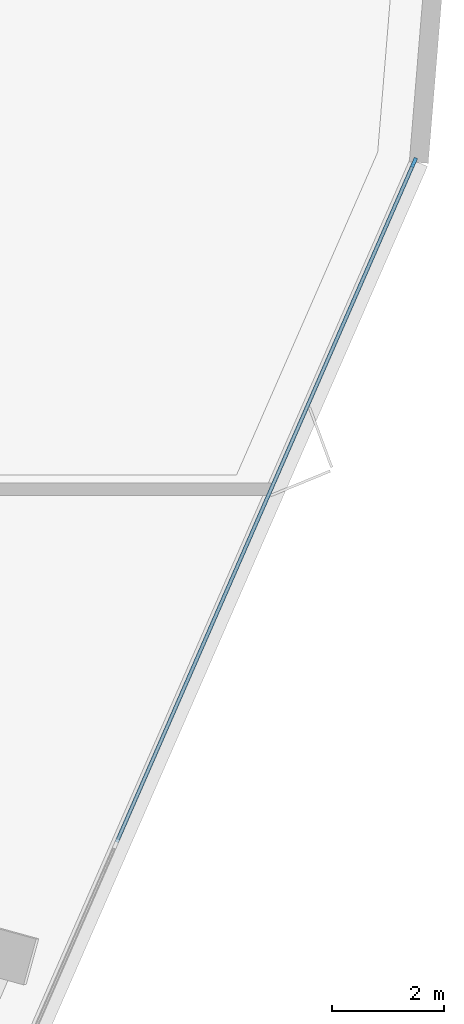
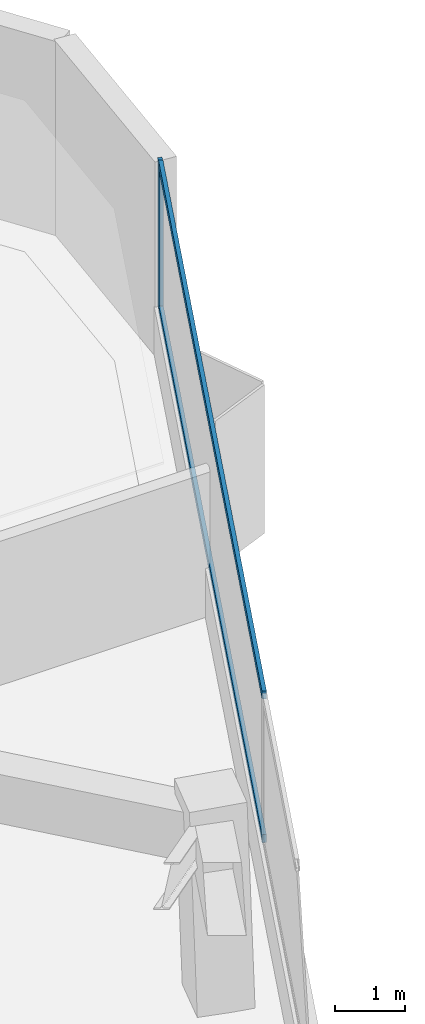
# One storey, part 10 of 20: 3 members, 1 element without a shape of its own.
"""IFC4 building model written with IfcOpenShell, lengths in metres."""

from ifc_helpers import new_model, si_unit, direction, frame, origin, origin_2d, place, context, subcontext, project, spatial, rectangle, extrude, material, layer, layer_set, material_profile, profile_set, type_object, element, aggregate, save


model = new_model("IFC4")

# Units and contexts
model_context = context("Model", 3, precision=1e-05, world=origin(), true_north=direction((0.0, 1.0)))
body_context = subcontext(model_context, "Body", "Model", "MODEL_VIEW")
ifc_project = project(units=[si_unit("LENGTHUNIT", "METRE"), si_unit("AREAUNIT", "SQUARE_METRE"), si_unit("VOLUMEUNIT", "CUBIC_METRE"), si_unit("PLANEANGLEUNIT", "RADIAN"), si_unit("MASSUNIT", "GRAM", prefix="KILO")], contexts=[model_context])

# Site, building, storey
site_placement = place(None, origin())
site = spatial("IfcSite", under=ifc_project, at=site_placement, CompositionType="ELEMENT")
building_placement = place(site_placement, origin())
building = spatial("IfcBuilding", under=site, at=building_placement, Name="Talyreon Biosciences Tower", CompositionType="ELEMENT")
storey_placement = place(building_placement, frame((0.0, 0.0, 78.64990234375)))
storey = spatial("IfcBuildingStorey", under=building, at=storey_placement, Name="L20", CompositionType="ELEMENT", Elevation=78.64990234375)

# Curtain wall, members
ifc_material_1 = material(Name="Thermally broken aluminium and low-E glazing", Category="aluminium")
ifc_layer = layer(ifc_material_1, 0.18994140625)
ifc_layer_set = layer_set([ifc_layer], Name="Thermally broken aluminium and low-E glazing")
curtain_wall_type = type_object("IfcCurtainWallType", Name="CurtainWall_Zone2Genomics", PredefinedType="NOTDEFINED", material=ifc_layer_set)
curtain_wall_placement = place(storey_placement, origin())
curtain_wall = element("IfcCurtainWall", 1, at=curtain_wall_placement, inside=storey, type_object=curtain_wall_type, Name="L20 Unitised Curtain Wall FCW-L20-08", PredefinedType="NOTDEFINED")
ifc_material_2 = material(Name="Anodised thermally broken aluminium", Category="aluminium")
ifc_material_profile_1 = material_profile(ifc_material_2, rectangle(XDim=0.06494140625, YDim=0.179931640625, at=origin_2d()), Name="ALUM MULLION 65x180")
ifc_profile_set_1 = profile_set([ifc_material_profile_1], Name="Anodised thermally broken aluminium")
member_type_1 = type_object("IfcMemberType", Name="CWMullion_65x180", PredefinedType="MULLION", material=ifc_profile_set_1)
member_1_placement = place(storey_placement, frame((97.462646484375, 83.43896484375, 0.81005859375), z_axis=(0.0, 0.0, 1.0), x_axis=(0.916213942072, -0.400689421314, 0.0)))
member_1 = element("IfcMember", 2, at=member_1_placement, type_object=member_type_1, Name="CW3 mullion 1", PredefinedType="MULLION", context=body_context, shape_type="SweptSolid", body=[
    extrude(rectangle(XDim=0.06494140625, YDim=0.179931640625, at=origin_2d()), origin(), (0.0, 0.0, 1.0), 2.56494140625),
])
ifc_material_profile_2 = material_profile(ifc_material_2, rectangle(XDim=0.06494140625, YDim=0.139892578125, at=origin_2d()), Name="ALUM TRANSOM 65x140")
ifc_profile_set_2 = profile_set([ifc_material_profile_2], Name="Anodised thermally broken aluminium")
member_type_2 = type_object("IfcMemberType", Name="CWTransom_65x140", PredefinedType="USERDEFINED", material=ifc_profile_set_2)
member_2_placement = place(storey_placement, frame((97.449462890625, 83.4091796875, 0.842529296875), z_axis=(-0.40069337817, -0.916212211603, 0.0), x_axis=(0.916212211603, -0.40069337817, 0.0)))
member_2 = element("IfcMember", 3, at=member_2_placement, type_object=member_type_2, Name="CW3 transom 1.1", ObjectType="TRANSOM", PredefinedType="USERDEFINED", context=body_context, shape_type="SweptSolid", body=[
    extrude(rectangle(XDim=0.06494140625, YDim=0.139892578125, at=origin_2d()), origin(), (0.0, 0.0, 1.0), 13.271728515625),
])
member_3_placement = place(storey_placement, frame((97.449462890625, 83.4091796875, 3.342529296875), z_axis=(-0.40069337817, -0.916212211603, 0.0), x_axis=(0.916212211603, -0.40069337817, 0.0)))
member_3 = element("IfcMember", 4, at=member_3_placement, type_object=member_type_2, Name="CW3 transom 1.2", ObjectType="TRANSOM", PredefinedType="USERDEFINED", context=body_context, shape_type="SweptSolid", body=[
    extrude(rectangle(XDim=0.06494140625, YDim=0.139892578125, at=origin_2d()), origin(), (0.0, 0.0, 1.0), 13.271728515625),
])
aggregate(curtain_wall, [member_1, member_2, member_3])

save(model, "model.ifc")
